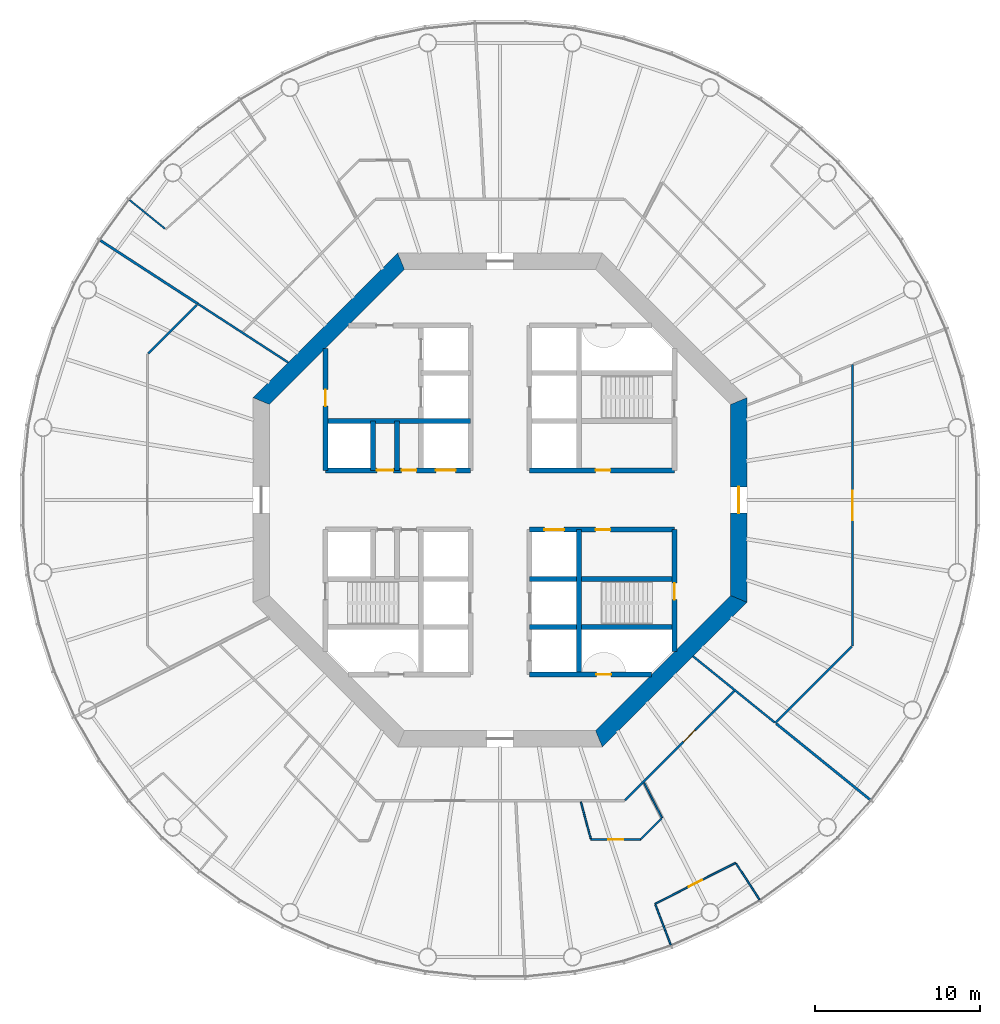
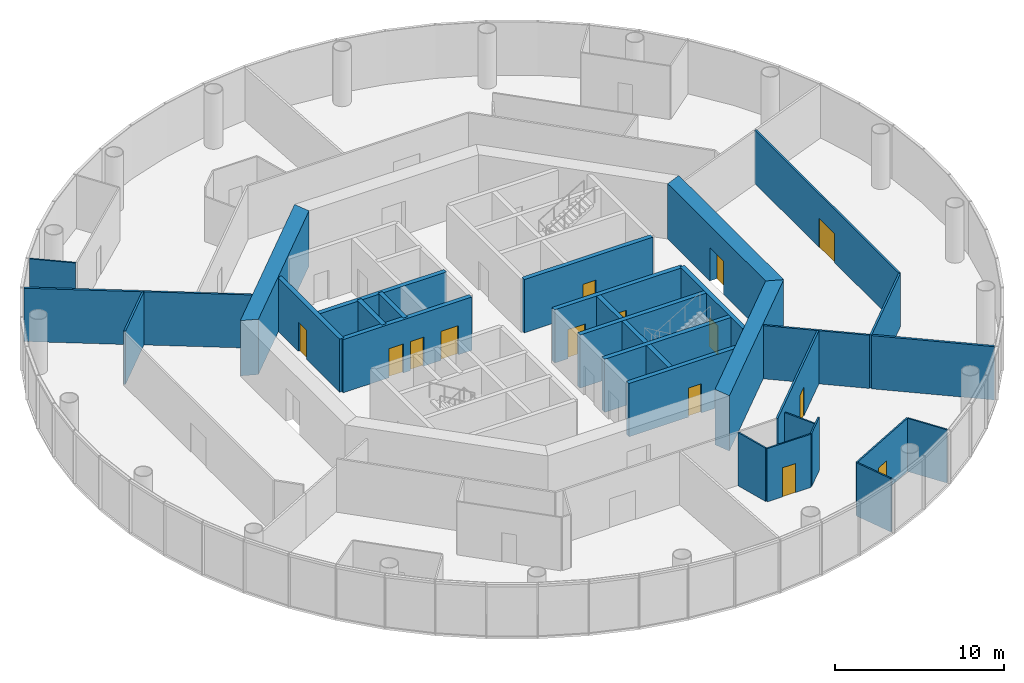
# One storey, part 4 of 13: 31 walls, 14 doors, 14 openings.
"""IFC4 building model written with IfcOpenShell, lengths in metres."""

from ifc_helpers import new_model, si_unit, direction, frame, frame_2d, origin, place, context, subcontext, project, spatial, polyline, rectangle, outline, extrude, material, layer, layer_set, type_object, element, fill, save


model = new_model("IFC4")

# Units and contexts
model_context = context("Model", 3, precision=1e-05, world=origin(), true_north=direction((0.0, 1.0)))
body_context = subcontext(model_context, "Body", "Model", "MODEL_VIEW")
ifc_project = project(units=[si_unit("LENGTHUNIT", "METRE"), si_unit("AREAUNIT", "SQUARE_METRE"), si_unit("VOLUMEUNIT", "CUBIC_METRE"), si_unit("PLANEANGLEUNIT", "RADIAN"), si_unit("MASSUNIT", "GRAM", prefix="KILO")], contexts=[model_context])

# Site, building, storey
site_placement = place(None, origin())
site = spatial("IfcSite", under=ifc_project, at=site_placement, CompositionType="ELEMENT")
building_placement = place(site_placement, origin())
building = spatial("IfcBuilding", under=site, at=building_placement, Name="Entoto Ring Tower", CompositionType="ELEMENT")
storey_placement = place(building_placement, frame((0.0, 0.0, 184.0)))
storey = spatial("IfcBuildingStorey", under=building, at=storey_placement, Name="L42", CompositionType="ELEMENT", Elevation=184.0)

# Wall, opening, door
ifc_material_1 = material(Name="Concrete C40/50", Category="concrete")
ifc_layer_1 = layer(ifc_material_1, 0.300048828125)
ifc_layer_set_1 = layer_set([ifc_layer_1], Name="Concrete C40/50")
wall_type_1 = type_object("IfcWallType", Name="Core enclosure wall 300 mm reinforced concrete", PredefinedType="SOLIDWALL", material=ifc_layer_set_1)
wall_1_placement = place(storey_placement, frame((100.60009765625, 70.801025390625, 0.0), z_axis=(0.0, 0.0, 1.0), x_axis=(0.0, 1.0, 0.0)))
wall_1 = element("IfcWall", 1, at=wall_1_placement, inside=storey, type_object=wall_type_1, Name="wall-L42-001", PredefinedType="SOLIDWALL", context=body_context, shape_type="SweptSolid", body=[
    extrude(rectangle(XDim=7.39892578125, YDim=0.300048828125, at=frame_2d((3.699462890625, 0.0))), origin(), (0.0, 0.0, 1.0), 3.85009765625),
])
opening_1_placement = place(wall_1_placement, frame((3.14892578125, 0.0, 0.0)))
opening_1 = element("IfcOpeningElement", 2, at=opening_1_placement, cuts=wall_1, Name="Opening K-61", PredefinedType="OPENING", context=body_context, shape_type="SweptSolid", body=[
    extrude(rectangle(XDim=1.0, YDim=2.10009765625, at=frame_2d((0.5, 1.050048828125))), frame((0.0, 0.16015625, 0.0), z_axis=(0.0, -1.0, 0.0), x_axis=(1.0, 0.0, 0.0)), (0.0, 0.0, 1.0), 0.320068359375),
])
ifc_material_2 = material(Name="Steel door leaf, fire rated", Category="steel")
ifc_layer_2 = layer(ifc_material_2, 0.050048828125)
ifc_layer_set_2 = layer_set([ifc_layer_2], Name="Steel door leaf, fire rated")
door_type_1 = type_object("IfcDoorType", Name="Fire door FD60 1000 x 2100 single leaf", OperationType="NOTDEFINED", PredefinedType="DOOR", material=ifc_layer_set_2)
door_1_placement = place(opening_1_placement, origin())
door_1 = element("IfcDoor", 3, at=door_1_placement, inside=storey, type_object=door_type_1, Name="Door K-61", OperationType="SINGLE_SWING_RIGHT", OverallHeight=2.10009765625, OverallWidth=1.0, PredefinedType="DOOR", context=body_context, shape_type="SweptSolid", body=[
    extrude(rectangle(XDim=1.0, YDim=2.10009765625, at=frame_2d((0.5, 1.050048828125))), frame((0.0, 0.02490234375, 0.0), z_axis=(0.0, -1.0, 0.0), x_axis=(1.0, 0.0, 0.0)), (0.0, 0.0, 1.0), 0.050048828125),
])
fill(opening_1, door_1)

# Walls
wall_2_placement = place(storey_placement, frame((94.800048828125, 69.39990234375, 0.0), z_axis=(0.0, 0.0, 1.0), x_axis=(0.0, 1.0, 0.0)))
element("IfcWall", 4, at=wall_2_placement, inside=storey, type_object=wall_type_1, Name="wall-L42-003", PredefinedType="SOLIDWALL", context=body_context, shape_type="SweptSolid", body=[
    extrude(rectangle(XDim=8.800048828125, YDim=0.300048828125, at=frame_2d((4.39990234375, 0.0))), origin(), (0.0, 0.0, 1.0), 3.85009765625),
])
for number, where, z_axis, x_axis, name in (
    (5, (83.75, 81.800048828125, 0.0), (0.0, 0.0, 1.0), (0.0, 1.0, 0.0), "wall-L42-012"),
    (6, (82.300048828125, 81.800048828125, 0.0), (0.0, 0.0, 1.0), (0.0, 1.0, 0.0), "wall-L42-014"),
):
    element("IfcWall", number, at=place(storey_placement, frame(where, z_axis=z_axis, x_axis=x_axis)), inside=storey, type_object=wall_type_1, Name=name, PredefinedType="SOLIDWALL", context=body_context, shape_type="SweptSolid", body=[
        extrude(rectangle(XDim=3.0, YDim=0.300048828125, at=frame_2d((1.5, 0.0))), origin(), (0.0, 0.0, 1.0), 3.85009765625),
    ])

# Wall, opening, door
wall_3_placement = place(storey_placement, frame((79.39990234375, 81.800048828125, 0.0), z_axis=(0.0, 0.0, 1.0), x_axis=(0.0, 1.0, 0.0)))
wall_3 = element("IfcWall", 7, at=wall_3_placement, inside=storey, type_object=wall_type_1, Name="wall-L42-016", PredefinedType="SOLIDWALL", context=body_context, shape_type="SweptSolid", body=[
    extrude(rectangle(XDim=7.39892578125, YDim=0.300048828125, at=frame_2d((3.699462890625, 0.0))), origin(), (0.0, 0.0, 1.0), 3.85009765625),
])
opening_2_placement = place(wall_3_placement, frame((3.89990234375, 0.0, 0.0)))
opening_2 = element("IfcOpeningElement", 8, at=opening_2_placement, cuts=wall_3, Name="Opening K-23", PredefinedType="OPENING", context=body_context, shape_type="SweptSolid", body=[
    extrude(rectangle(XDim=1.0, YDim=2.10009765625, at=frame_2d((0.5, 1.050048828125))), frame((0.0, 0.16015625, 0.0), z_axis=(0.0, -1.0, 0.0), x_axis=(1.0, 0.0, 0.0)), (0.0, 0.0, 1.0), 0.320068359375),
])
door_2_placement = place(opening_2_placement, frame((1.0, 0.0, 0.0), z_axis=(0.0, 0.0, 1.0), x_axis=(-1.0, 0.0, 0.0)))
door_2 = element("IfcDoor", 9, at=door_2_placement, inside=storey, type_object=door_type_1, Name="Door K-23", OperationType="SINGLE_SWING_RIGHT", OverallHeight=2.10009765625, OverallWidth=1.0, PredefinedType="DOOR", context=body_context, shape_type="SweptSolid", body=[
    extrude(rectangle(XDim=1.0, YDim=2.10009765625, at=frame_2d((0.5, 1.050048828125))), frame((0.0, 0.02490234375, 0.0), z_axis=(0.0, -1.0, 0.0), x_axis=(1.0, 0.0, 0.0)), (0.0, 0.0, 1.0), 0.050048828125),
])
fill(opening_2, door_2)

wall_4_placement = place(storey_placement, frame((91.800048828125, 69.39990234375, 0.0), z_axis=(0.0, 0.0, 1.0), x_axis=(1.0, 0.0, 0.0)))
wall_4 = element("IfcWall", 10, at=wall_4_placement, inside=storey, type_object=wall_type_1, Name="wall-L42-018", PredefinedType="SOLIDWALL", context=body_context, shape_type="SweptSolid", body=[
    extrude(rectangle(XDim=7.39892578125, YDim=0.300048828125, at=frame_2d((3.699462890625, 0.0))), origin(), (0.0, 0.0, 1.0), 3.85009765625),
])
opening_3_placement = place(wall_4_placement, frame((4.050048828125, 0.0, 0.0)))
opening_3 = element("IfcOpeningElement", 11, at=opening_3_placement, cuts=wall_4, Name="Opening K-68", PredefinedType="OPENING", context=body_context, shape_type="SweptSolid", body=[
    extrude(rectangle(XDim=0.89990234375, YDim=2.10009765625, at=frame_2d((0.449951171875, 1.050048828125))), frame((0.0, 0.16015625, 0.0), z_axis=(0.0, -1.0, 0.0), x_axis=(1.0, 0.0, 0.0)), (0.0, 0.0, 1.0), 0.320068359375),
])
ifc_material_3 = material(Name="Steel door leaf, fire rated", Category="steel")
ifc_layer_3 = layer(ifc_material_3, 0.050048828125)
ifc_layer_set_3 = layer_set([ifc_layer_3], Name="Steel door leaf, fire rated")
door_type_2 = type_object("IfcDoorType", Name="Riser door FD60 900 x 2100 single leaf", OperationType="NOTDEFINED", PredefinedType="DOOR", material=ifc_layer_set_3)
door_3_placement = place(opening_3_placement, origin())
door_3 = element("IfcDoor", 12, at=door_3_placement, inside=storey, type_object=door_type_2, Name="Door K-68", OperationType="SINGLE_SWING_LEFT", OverallHeight=2.10009765625, OverallWidth=0.89990234375, PredefinedType="DOOR", context=body_context, shape_type="SweptSolid", body=[
    extrude(rectangle(XDim=0.89990234375, YDim=2.10009765625, at=frame_2d((0.449951171875, 1.050048828125))), frame((0.0, 0.02490234375, 0.0), z_axis=(0.0, -1.0, 0.0), x_axis=(1.0, 0.0, 0.0)), (0.0, 0.0, 1.0), 0.050048828125),
])
fill(opening_3, door_3)

# Walls
for number, where, z_axis, x_axis, name in (
    (13, (91.800048828125, 72.300048828125, 0.0), (0.0, 0.0, 1.0), (1.0, 0.0, 0.0), "wall-L42-020"),
    (14, (91.800048828125, 75.199951171875, 0.0), (0.0, 0.0, 1.0), (1.0, 0.0, 0.0), "wall-L42-022"),
):
    element("IfcWall", number, at=place(storey_placement, frame(where, z_axis=z_axis, x_axis=x_axis)), inside=storey, type_object=wall_type_1, Name=name, PredefinedType="SOLIDWALL", context=body_context, shape_type="SweptSolid", body=[
        extrude(rectangle(XDim=8.800048828125, YDim=0.300048828125, at=frame_2d((4.39990234375, 0.0))), origin(), (0.0, 0.0, 1.0), 3.85009765625),
    ])

# Wall, openings, doors
wall_5_placement = place(storey_placement, frame((91.800048828125, 78.199951171875, 0.0), z_axis=(0.0, 0.0, 1.0), x_axis=(1.0, 0.0, 0.0)))
wall_5 = element("IfcWall", 15, at=wall_5_placement, inside=storey, type_object=wall_type_1, Name="wall-L42-024", PredefinedType="SOLIDWALL", context=body_context, shape_type="SweptSolid", body=[
    extrude(rectangle(XDim=8.800048828125, YDim=0.300048828125, at=frame_2d((4.39990234375, 0.0))), origin(), (0.0, 0.0, 1.0), 3.85009765625),
])
opening_4_placement = place(wall_5_placement, frame((0.89990234375, 0.0, 0.0)))
opening_4 = element("IfcOpeningElement", 16, at=opening_4_placement, cuts=wall_5, Name="Opening LD", PredefinedType="OPENING", context=body_context, shape_type="SweptSolid", body=[
    extrude(rectangle(XDim=1.199951171875, YDim=2.10009765625, at=frame_2d((0.60009765625, 1.050048828125))), frame((0.0, 0.16015625, 0.0), z_axis=(0.0, -1.0, 0.0), x_axis=(1.0, 0.0, 0.0)), (0.0, 0.0, 1.0), 0.320068359375),
])
opening_5_placement = place(wall_5_placement, frame((4.0, 0.0, 0.0)))
opening_5 = element("IfcOpeningElement", 17, at=opening_5_placement, cuts=wall_5, Name="Opening K-12", PredefinedType="OPENING", context=body_context, shape_type="SweptSolid", body=[
    extrude(rectangle(XDim=0.89990234375, YDim=2.10009765625, at=frame_2d((0.449951171875, 1.050048828125))), frame((0.0, 0.16015625, 0.0), z_axis=(0.0, -1.0, 0.0), x_axis=(1.0, 0.0, 0.0)), (0.0, 0.0, 1.0), 0.320068359375),
])
ifc_material_4 = material(Name="Steel door leaf, fire rated", Category="steel")
ifc_layer_4 = layer(ifc_material_4, 0.050048828125)
ifc_layer_set_4 = layer_set([ifc_layer_4], Name="Steel door leaf, fire rated")
door_type_3 = type_object("IfcDoorType", Name="Core door 900 x 2100 single leaf", OperationType="NOTDEFINED", PredefinedType="DOOR", material=ifc_layer_set_4)
door_4_placement = place(opening_5_placement, frame((0.89990234375, 0.0, 0.0), z_axis=(0.0, 0.0, 1.0), x_axis=(-1.0, 0.0, 0.0)))
door_4 = element("IfcDoor", 18, at=door_4_placement, inside=storey, type_object=door_type_3, Name="Door K-12", OperationType="SINGLE_SWING_RIGHT", OverallHeight=2.10009765625, OverallWidth=0.89990234375, PredefinedType="DOOR", context=body_context, shape_type="SweptSolid", body=[
    extrude(rectangle(XDim=0.89990234375, YDim=2.10009765625, at=frame_2d((0.449951171875, 1.050048828125))), frame((0.0, 0.02490234375, 0.0), z_axis=(0.0, -1.0, 0.0), x_axis=(1.0, 0.0, 0.0)), (0.0, 0.0, 1.0), 0.050048828125),
])
fill(opening_5, door_4)
ifc_material_5 = material(Name="Steel and glass door leaf", Category="steel")
ifc_layer_5 = layer(ifc_material_5, 0.050048828125)
ifc_layer_set_5 = layer_set([ifc_layer_5], Name="Steel and glass door leaf")
door_type_4 = type_object("IfcDoorType", Name="Landing door 1200 x 2100 sliding", OperationType="DOUBLE_DOOR_SLIDING", PredefinedType="DOOR", material=ifc_layer_set_5)
door_5_placement = place(opening_4_placement, origin())
door_5 = element("IfcDoor", 19, at=door_5_placement, inside=storey, type_object=door_type_4, Name="Landing door LB6-MR", OperationType="SLIDING_TO_LEFT", OverallHeight=2.10009765625, OverallWidth=1.199951171875, PredefinedType="DOOR", context=body_context, shape_type="SweptSolid", body=[
    extrude(rectangle(XDim=1.199951171875, YDim=2.10009765625, at=frame_2d((0.60009765625, 1.050048828125))), frame((0.0, 0.02490234375, 0.0), z_axis=(0.0, -1.0, 0.0), x_axis=(1.0, 0.0, 0.0)), (0.0, 0.0, 1.0), 0.050048828125),
])
fill(opening_4, door_5)

wall_6_placement = place(storey_placement, frame((79.39990234375, 81.800048828125, 0.0), z_axis=(0.0, 0.0, 1.0), x_axis=(1.0, 0.0, 0.0)))
wall_6 = element("IfcWall", 20, at=wall_6_placement, inside=storey, type_object=wall_type_1, Name="wall-L42-025", PredefinedType="SOLIDWALL", context=body_context, shape_type="SweptSolid", body=[
    extrude(rectangle(XDim=8.800048828125, YDim=0.300048828125, at=frame_2d((4.39990234375, 0.0))), origin(), (0.0, 0.0, 1.0), 3.85009765625),
])
opening_6_placement = place(wall_6_placement, frame((6.699951171875, 0.0, 0.0)))
opening_6 = element("IfcOpeningElement", 21, at=opening_6_placement, cuts=wall_6, Name="Opening LD", PredefinedType="OPENING", context=body_context, shape_type="SweptSolid", body=[
    extrude(rectangle(XDim=1.199951171875, YDim=2.10009765625, at=frame_2d((0.60009765625, 1.050048828125))), frame((0.0, 0.16015625, 0.0), z_axis=(0.0, -1.0, 0.0), x_axis=(1.0, 0.0, 0.0)), (0.0, 0.0, 1.0), 0.320068359375),
])
opening_7_placement = place(wall_6_placement, frame((3.125, 0.0, 0.0)))
opening_7 = element("IfcOpeningElement", 22, at=opening_7_placement, cuts=wall_6, Name="Opening K-13", PredefinedType="OPENING", context=body_context, shape_type="SweptSolid", body=[
    extrude(rectangle(XDim=1.0, YDim=2.10009765625, at=frame_2d((0.5, 1.050048828125))), frame((0.0, 0.16015625, 0.0), z_axis=(0.0, -1.0, 0.0), x_axis=(1.0, 0.0, 0.0)), (0.0, 0.0, 1.0), 0.320068359375),
])
opening_8_placement = place(wall_6_placement, frame((4.625, 0.0, 0.0)))
opening_8 = element("IfcOpeningElement", 23, at=opening_8_placement, cuts=wall_6, Name="Opening K-14", PredefinedType="OPENING", context=body_context, shape_type="SweptSolid", body=[
    extrude(rectangle(XDim=0.89990234375, YDim=2.10009765625, at=frame_2d((0.449951171875, 1.050048828125))), frame((0.0, 0.16015625, 0.0), z_axis=(0.0, -1.0, 0.0), x_axis=(1.0, 0.0, 0.0)), (0.0, 0.0, 1.0), 0.320068359375),
])
ifc_material_6 = material(Name="Steel door leaf, fire rated", Category="steel")
ifc_layer_6 = layer(ifc_material_6, 0.050048828125)
ifc_layer_set_6 = layer_set([ifc_layer_6], Name="Steel door leaf, fire rated")
door_type_5 = type_object("IfcDoorType", Name="Accessible door 1000 x 2100 single leaf", OperationType="NOTDEFINED", PredefinedType="DOOR", material=ifc_layer_set_6)
door_6_placement = place(opening_7_placement, origin())
door_6 = element("IfcDoor", 24, at=door_6_placement, inside=storey, type_object=door_type_5, Name="Door K-13", OperationType="SINGLE_SWING_RIGHT", OverallHeight=2.10009765625, OverallWidth=1.0, PredefinedType="DOOR", context=body_context, shape_type="SweptSolid", body=[
    extrude(rectangle(XDim=1.0, YDim=2.10009765625, at=frame_2d((0.5, 1.050048828125))), frame((0.0, 0.02490234375, 0.0), z_axis=(0.0, -1.0, 0.0), x_axis=(1.0, 0.0, 0.0)), (0.0, 0.0, 1.0), 0.050048828125),
])
fill(opening_7, door_6)
door_7_placement = place(opening_8_placement, origin())
door_7 = element("IfcDoor", 25, at=door_7_placement, inside=storey, type_object=door_type_3, Name="Door K-14", OperationType="SINGLE_SWING_RIGHT", OverallHeight=2.10009765625, OverallWidth=0.89990234375, PredefinedType="DOOR", context=body_context, shape_type="SweptSolid", body=[
    extrude(rectangle(XDim=0.89990234375, YDim=2.10009765625, at=frame_2d((0.449951171875, 1.050048828125))), frame((0.0, 0.02490234375, 0.0), z_axis=(0.0, -1.0, 0.0), x_axis=(1.0, 0.0, 0.0)), (0.0, 0.0, 1.0), 0.050048828125),
])
fill(opening_8, door_7)
door_8_placement = place(opening_6_placement, origin())
door_8 = element("IfcDoor", 26, at=door_8_placement, inside=storey, type_object=door_type_4, Name="Landing door LB5-MR", OperationType="SLIDING_TO_LEFT", OverallHeight=2.10009765625, OverallWidth=1.199951171875, PredefinedType="DOOR", context=body_context, shape_type="SweptSolid", body=[
    extrude(rectangle(XDim=1.199951171875, YDim=2.10009765625, at=frame_2d((0.60009765625, 1.050048828125))), frame((0.0, 0.02490234375, 0.0), z_axis=(0.0, -1.0, 0.0), x_axis=(1.0, 0.0, 0.0)), (0.0, 0.0, 1.0), 0.050048828125),
])
fill(opening_6, door_8)

# Wall, opening, door
wall_7_placement = place(storey_placement, frame((91.800048828125, 81.800048828125, 0.0), z_axis=(0.0, 0.0, 1.0), x_axis=(1.0, 0.0, 0.0)))
wall_7 = element("IfcWall", 27, at=wall_7_placement, inside=storey, type_object=wall_type_1, Name="wall-L42-026", PredefinedType="SOLIDWALL", context=body_context, shape_type="SweptSolid", body=[
    extrude(rectangle(XDim=8.800048828125, YDim=0.300048828125, at=frame_2d((4.39990234375, 0.0))), origin(), (0.0, 0.0, 1.0), 3.85009765625),
])
opening_9_placement = place(wall_7_placement, frame((4.0, 0.0, 0.0)))
opening_9 = element("IfcOpeningElement", 28, at=opening_9_placement, cuts=wall_7, Name="Opening K-11", PredefinedType="OPENING", context=body_context, shape_type="SweptSolid", body=[
    extrude(rectangle(XDim=0.89990234375, YDim=2.10009765625, at=frame_2d((0.449951171875, 1.050048828125))), frame((0.0, 0.16015625, 0.0), z_axis=(0.0, -1.0, 0.0), x_axis=(1.0, 0.0, 0.0)), (0.0, 0.0, 1.0), 0.320068359375),
])
door_9_placement = place(opening_9_placement, origin())
door_9 = element("IfcDoor", 29, at=door_9_placement, inside=storey, type_object=door_type_3, Name="Door K-11", OperationType="SINGLE_SWING_LEFT", OverallHeight=2.10009765625, OverallWidth=0.89990234375, PredefinedType="DOOR", context=body_context, shape_type="SweptSolid", body=[
    extrude(rectangle(XDim=0.89990234375, YDim=2.10009765625, at=frame_2d((0.449951171875, 1.050048828125))), frame((0.0, 0.02490234375, 0.0), z_axis=(0.0, -1.0, 0.0), x_axis=(1.0, 0.0, 0.0)), (0.0, 0.0, 1.0), 0.050048828125),
])
fill(opening_9, door_9)

# Wall
wall_8_placement = place(storey_placement, frame((79.39990234375, 84.800048828125, 0.0), z_axis=(0.0, 0.0, 1.0), x_axis=(1.0, 0.0, 0.0)))
element("IfcWall", 30, at=wall_8_placement, inside=storey, type_object=wall_type_1, Name="wall-L42-027", PredefinedType="SOLIDWALL", context=body_context, shape_type="SweptSolid", body=[
    extrude(rectangle(XDim=8.800048828125, YDim=0.300048828125, at=frame_2d((4.39990234375, 0.0))), origin(), (0.0, 0.0, 1.0), 3.85009765625),
])

# Wall, opening, door
ifc_material_7 = material(Name="Concrete C50/60", Category="concrete")
ifc_layer_7 = layer(ifc_material_7, 1.0)
ifc_layer_set_7 = layer_set([ifc_layer_7], Name="Concrete C50/60")
wall_type_2 = type_object("IfcWallType", Name="Core shear wall 1000 mm reinforced concrete C50/60", PredefinedType="SHEAR", material=ifc_layer_set_7)
wall_9_placement = place(storey_placement, frame((104.5, 73.993896484375, 0.0), z_axis=(0.0, 0.0, 1.0), x_axis=(0.0, 1.0, 0.0)))
wall_9 = element("IfcWall", 31, at=wall_9_placement, inside=storey, type_object=wall_type_2, Name="wall-L42-core-0", PredefinedType="SHEAR", context=body_context, shape_type="SweptSolid", body=[
    extrude(outline(polyline([(-0.20703125, -0.5), (12.21923828125, -0.5), (11.80517578125, 0.5), (0.20703125, 0.5), (-0.20703125, -0.5)])), origin(), (0.0, 0.0, 1.0), 4.0),
])
opening_10_placement = place(wall_9_placement, frame((5.2060546875, 0.0, 0.0)))
opening_10 = element("IfcOpeningElement", 32, at=opening_10_placement, cuts=wall_9, Name="Opening K-01", PredefinedType="OPENING", context=body_context, shape_type="SweptSolid", body=[
    extrude(rectangle(XDim=1.60009765625, YDim=2.39990234375, at=frame_2d((0.800048828125, 1.199951171875))), frame((0.0, 0.510009765625, 0.0), z_axis=(0.0, -1.0, 0.0), x_axis=(1.0, 0.0, 0.0)), (0.0, 0.0, 1.0), 1.02001953125),
])
ifc_material_8 = material(Name="Steel door leaf, fire rated", Category="steel")
ifc_layer_8 = layer(ifc_material_8, 0.050048828125)
ifc_layer_set_8 = layer_set([ifc_layer_8], Name="Steel door leaf, fire rated")
door_type_6 = type_object("IfcDoorType", Name="Entrance door FD60 1600 x 2400 double leaf", OperationType="DOUBLE_DOOR_SINGLE_SWING", PredefinedType="DOOR", material=ifc_layer_set_8)
door_10_placement = place(opening_10_placement, origin())
door_10 = element("IfcDoor", 33, at=door_10_placement, inside=storey, type_object=door_type_6, Name="Entrance door K-01", OperationType="DOUBLE_DOOR_SINGLE_SWING", OverallHeight=2.39990234375, OverallWidth=1.60009765625, PredefinedType="DOOR", context=body_context, shape_type="SweptSolid", body=[
    extrude(rectangle(XDim=1.60009765625, YDim=2.39990234375, at=frame_2d((0.800048828125, 1.199951171875))), frame((0.0, 0.02490234375, 0.0), z_axis=(0.0, -1.0, 0.0), x_axis=(1.0, 0.0, 0.0)), (0.0, 0.0, 1.0), 0.050048828125),
])
fill(opening_10, door_10)

# Walls
for number, where, z_axis, x_axis, name in (
    (34, (83.993896484375, 94.5, 0.0), (0.0, 0.0, 1.0), (-0.707106781187, -0.707106781187, 0.0), "wall-L42-core-3"),
    (35, (96.006103515625, 65.5, 0.0), (0.0, 0.0, 1.0), (0.707106781187, 0.707106781187, 0.0), "wall-L42-core-7"),
):
    element("IfcWall", number, at=place(storey_placement, frame(where, z_axis=z_axis, x_axis=x_axis)), inside=storey, type_object=wall_type_2, Name=name, PredefinedType="SHEAR", context=body_context, shape_type="SweptSolid", body=[
        extrude(outline(polyline([(-0.20703125, -0.5), (12.21923828125, -0.5), (11.80517578125, 0.5), (0.20703125, 0.5), (-0.20703125, -0.5)])), origin(), (0.0, 0.0, 1.0), 4.0),
    ])

# Wall, opening, door
ifc_material_9 = material(Name="Fire-resisting plasterboard on steel studs", Category="steel")
ifc_layer_9 = layer(ifc_material_9, 0.125)
ifc_layer_set_9 = layer_set([ifc_layer_9], Name="Fire-resisting plasterboard on steel studs")
wall_type_3 = type_object("IfcWallType", Name="Corridor wall 125 mm one-hour plasterboard on steel studs", PredefinedType="PARTITIONING", material=ifc_layer_set_9)
wall_10_placement = place(storey_placement, frame((111.39990234375, 71.1357421875, 0.0), z_axis=(0.0, 0.0, 1.0), x_axis=(0.0, 1.0, 0.0)))
wall_10 = element("IfcWall", 36, at=wall_10_placement, inside=storey, type_object=wall_type_3, Name="partition-L42-002", PredefinedType="PARTITIONING", context=body_context, shape_type="SweptSolid", body=[
    extrude(rectangle(XDim=17.078857421875, YDim=0.125, at=frame_2d((8.53955078125, 0.0))), origin(), (0.0, 0.0, 1.0), 3.85009765625),
])
opening_11_placement = place(wall_10_placement, frame((7.639404296875, 0.0, 0.0)))
opening_11 = element("IfcOpeningElement", 37, at=opening_11_placement, cuts=wall_10, Name="Opening A18-D01", PredefinedType="OPENING", context=body_context, shape_type="SweptSolid", body=[
    extrude(rectangle(XDim=1.800048828125, YDim=2.10009765625, at=frame_2d((0.89990234375, 1.050048828125))), frame((0.0, 0.072509765625, 0.0), z_axis=(0.0, -1.0, 0.0), x_axis=(1.0, 0.0, 0.0)), (0.0, 0.0, 1.0), 0.14501953125),
])
ifc_material_10 = material(Name="Fire-resisting timber door set", Category="wood")
door_type_7 = type_object("IfcDoorType", Name="Door 1800 x 2100 double leaf FD30S fire door", OperationType="DOUBLE_DOOR_SINGLE_SWING", PredefinedType="DOOR", material=ifc_material_10)
door_11_placement = place(opening_11_placement, frame((1.800048828125, 0.0, 0.0), z_axis=(0.0, 0.0, 1.0), x_axis=(-1.0, 0.0, 0.0)))
door_11 = element("IfcDoor", 38, at=door_11_placement, inside=storey, type_object=door_type_7, Name="Door A18-D01", OperationType="DOUBLE_DOOR_SINGLE_SWING", OverallHeight=2.10009765625, OverallWidth=1.800048828125, PredefinedType="DOOR", context=body_context, shape_type="SweptSolid", body=[
    extrude(rectangle(XDim=1.800048828125, YDim=2.10009765625, at=frame_2d((0.89990234375, 1.050048828125))), frame((0.0, 0.02490234375, 0.0), z_axis=(0.0, -1.0, 0.0), x_axis=(1.0, 0.0, 0.0)), (0.0, 0.0, 1.0), 0.050048828125),
])
fill(opening_11, door_11)

wall_11_placement = place(storey_placement, frame((97.595703125, 61.7685546875, 0.0), z_axis=(0.0, 0.0, 1.0), x_axis=(0.707093754284, 0.707119807849, 0.0)))
wall_11 = element("IfcWall", 39, at=wall_11_placement, inside=storey, type_object=wall_type_3, Name="partition-L42-008", PredefinedType="PARTITIONING", context=body_context, shape_type="SweptSolid", body=[
    extrude(rectangle(XDim=9.37060546875, YDim=0.125, at=frame_2d((4.685302734375, 0.0))), origin(), (0.0, 0.0, 1.0), 3.85009765625),
])
opening_12_placement = place(wall_11_placement, frame((5.013427734375, 0.0, 0.0)))
opening_12 = element("IfcOpeningElement", 40, at=opening_12_placement, cuts=wall_11, Name="Opening A18-D12", PredefinedType="OPENING", context=body_context, shape_type="SweptSolid", body=[
    extrude(rectangle(XDim=1.0, YDim=2.10009765625, at=frame_2d((0.5, 1.050048828125))), frame((0.0, 0.072509765625, 0.0), z_axis=(0.0, -1.0, 0.0), x_axis=(1.0, 0.0, 0.0)), (0.0, 0.0, 1.0), 0.14501953125),
])
ifc_material_11 = material(Name="Fire-resisting timber door set", Category="wood")
door_type_8 = type_object("IfcDoorType", Name="Door 1000 x 2100 single leaf FD30S fire door", OperationType="NOTDEFINED", PredefinedType="DOOR", material=ifc_material_11)
door_12_placement = place(opening_12_placement, frame((1.0, 0.0, 0.0), z_axis=(0.0, 0.0, 1.0), x_axis=(-1.0, 0.0, 0.0)))
door_12 = element("IfcDoor", 41, at=door_12_placement, inside=storey, type_object=door_type_8, Name="Door A18-D12", OperationType="SINGLE_SWING_LEFT", OverallHeight=2.10009765625, OverallWidth=1.0, PredefinedType="DOOR", context=body_context, shape_type="SweptSolid", body=[
    extrude(rectangle(XDim=1.0, YDim=2.10009765625, at=frame_2d((0.5, 1.050048828125))), frame((0.0, 0.02490234375, 0.0), z_axis=(0.0, -1.0, 0.0), x_axis=(1.0, 0.0, 0.0)), (0.0, 0.0, 1.0), 0.050048828125),
])
fill(opening_12, door_12)

# Walls
wall_12_placement = place(storey_placement, frame((106.722412109375, 66.45849609375, 0.0), z_axis=(0.0, 0.0, 1.0), x_axis=(0.707125358217, 0.707088203668, 0.0)))
element("IfcWall", 42, at=wall_12_placement, inside=storey, type_object=wall_type_3, Name="partition-L42-011", PredefinedType="PARTITIONING", context=body_context, shape_type="SweptSolid", body=[
    extrude(rectangle(XDim=6.571044921875, YDim=0.125, at=frame_2d((3.28564453125, 0.0))), origin(), (0.0, 0.0, 1.0), 3.85009765625),
])
wall_13_placement = place(storey_placement, frame((77.138916015625, 88.35205078125, 0.0), z_axis=(0.0, 0.0, 1.0), x_axis=(-0.838654973698, 0.544663047298, 0.0)))
element("IfcWall", 43, at=wall_13_placement, inside=storey, type_object=wall_type_3, Name="partition-L42-012", PredefinedType="PARTITIONING", context=body_context, shape_type="SweptSolid", body=[
    extrude(rectangle(XDim=6.54296875, YDim=0.125, at=frame_2d((3.271484375, 0.0))), origin(), (0.0, 0.0, 1.0), 3.85009765625),
])
wall_14_placement = place(storey_placement, frame((106.67431640625, 66.49755859375, 0.0), z_axis=(0.0, 0.0, 1.0), x_axis=(-0.777147622925, 0.629318339302, 0.0)))
element("IfcWall", 44, at=wall_14_placement, inside=storey, type_object=wall_type_3, Name="partition-L42-013", PredefinedType="PARTITIONING", context=body_context, shape_type="SweptSolid", body=[
    extrude(rectangle(XDim=6.373046875, YDim=0.125, at=frame_2d((3.1865234375, 0.0))), origin(), (0.0, 0.0, 1.0), 3.85009765625),
])
wall_15_placement = place(storey_placement, frame((68.631103515625, 88.895263671875, 0.0), z_axis=(0.0, 0.0, 1.0), x_axis=(0.707106781187, 0.707106781187, 0.0)))
element("IfcWall", 45, at=wall_15_placement, inside=storey, type_object=wall_type_3, Name="partition-L42-014", PredefinedType="PARTITIONING", context=body_context, shape_type="SweptSolid", body=[
    extrude(rectangle(XDim=4.181640625, YDim=0.125, at=frame_2d((2.0908203125, 0.0))), origin(), (0.0, 0.0, 1.0), 3.85009765625),
])

# Wall, opening, door
ifc_material_12 = material(Name="Plasterboard on steel studs", Category="steel")
ifc_layer_10 = layer(ifc_material_12, 0.10009765625)
ifc_layer_set_10 = layer_set([ifc_layer_10], Name="Plasterboard on steel studs")
wall_type_4 = type_object("IfcWallType", Name="Partition 100 mm plasterboard on steel studs", PredefinedType="PARTITIONING", material=ifc_layer_set_10)
wall_16_placement = place(storey_placement, frame((99.414306640625, 55.474853515625, 0.0), z_axis=(0.0, 0.0, 1.0), x_axis=(0.891014051246, 0.453975726754, 0.0)))
wall_16 = element("IfcWall", 46, at=wall_16_placement, inside=storey, type_object=wall_type_4, Name="partition-L42-027", PredefinedType="PARTITIONING", context=body_context, shape_type="SweptSolid", body=[
    extrude(rectangle(XDim=5.491943359375, YDim=0.10009765625, at=frame_2d((2.74609375, 0.0))), origin(), (0.0, 0.0, 1.0), 3.85009765625),
])
opening_13_placement = place(wall_16_placement, frame((2.2958984375, 0.0, 0.0)))
opening_13 = element("IfcOpeningElement", 47, at=opening_13_placement, cuts=wall_16, Name="Opening A18-D14", PredefinedType="OPENING", context=body_context, shape_type="SweptSolid", body=[
    extrude(rectangle(XDim=0.89990234375, YDim=2.10009765625, at=frame_2d((0.449951171875, 1.050048828125))), frame((0.0, 0.06005859375, 0.0), z_axis=(0.0, -1.0, 0.0), x_axis=(1.0, 0.0, 0.0)), (0.0, 0.0, 1.0), 0.1201171875),
])
ifc_material_13 = material(Name="Veneered timber door leaf in timber frame", Category="wood")
door_type_9 = type_object("IfcDoorType", Name="Door 900 x 2100 single leaf timber veneer", OperationType="NOTDEFINED", PredefinedType="DOOR", material=ifc_material_13)
door_13_placement = place(opening_13_placement, frame((0.89990234375, 0.0, 0.0), z_axis=(0.0, 0.0, 1.0), x_axis=(-1.0, 0.0, 0.0)))
door_13 = element("IfcDoor", 48, at=door_13_placement, inside=storey, type_object=door_type_9, Name="Door A18-D14", OperationType="SINGLE_SWING_LEFT", OverallHeight=2.10009765625, OverallWidth=0.89990234375, PredefinedType="DOOR", context=body_context, shape_type="SweptSolid", body=[
    extrude(rectangle(XDim=0.89990234375, YDim=2.10009765625, at=frame_2d((0.449951171875, 1.050048828125))), frame((0.0, 0.02490234375, 0.0), z_axis=(0.0, -1.0, 0.0), x_axis=(1.0, 0.0, 0.0)), (0.0, 0.0, 1.0), 0.050048828125),
])
fill(opening_13, door_13)

wall_17_placement = place(storey_placement, frame((95.523193359375, 59.387451171875, 0.0), z_axis=(0.0, 0.0, 1.0), x_axis=(1.0, 0.0, 0.0)))
wall_17 = element("IfcWall", 49, at=wall_17_placement, inside=storey, type_object=wall_type_4, Name="partition-L42-030", PredefinedType="PARTITIONING", context=body_context, shape_type="SweptSolid", body=[
    extrude(rectangle(XDim=3.014892578125, YDim=0.10009765625, at=frame_2d((1.50732421875, 0.0))), origin(), (0.0, 0.0, 1.0), 3.85009765625),
])
opening_14_placement = place(wall_17_placement, frame((1.057373046875, 0.0, 0.0)))
opening_14 = element("IfcOpeningElement", 50, at=opening_14_placement, cuts=wall_17, Name="Opening A18-D13", PredefinedType="OPENING", context=body_context, shape_type="SweptSolid", body=[
    extrude(rectangle(XDim=0.89990234375, YDim=2.10009765625, at=frame_2d((0.449951171875, 1.050048828125))), frame((0.0, 0.06005859375, 0.0), z_axis=(0.0, -1.0, 0.0), x_axis=(1.0, 0.0, 0.0)), (0.0, 0.0, 1.0), 0.1201171875),
])
door_14_placement = place(opening_14_placement, origin())
door_14 = element("IfcDoor", 51, at=door_14_placement, inside=storey, type_object=door_type_9, Name="Door A18-D13", OperationType="SINGLE_SWING_LEFT", OverallHeight=2.10009765625, OverallWidth=0.89990234375, PredefinedType="DOOR", context=body_context, shape_type="SweptSolid", body=[
    extrude(rectangle(XDim=0.89990234375, YDim=2.10009765625, at=frame_2d((0.449951171875, 1.050048828125))), frame((0.0, 0.02490234375, 0.0), z_axis=(0.0, -1.0, 0.0), x_axis=(1.0, 0.0, 0.0)), (0.0, 0.0, 1.0), 0.050048828125),
])
fill(opening_14, door_14)

# Walls
wall_18_placement = place(storey_placement, frame((69.66259765625, 96.468994140625, 0.0), z_axis=(0.0, 0.0, 1.0), x_axis=(-0.777166880901, 0.62929455681, 0.0)))
element("IfcWall", 52, at=wall_18_placement, inside=storey, type_object=wall_type_4, Name="partition-L42-032", PredefinedType="PARTITIONING", context=body_context, shape_type="SweptSolid", body=[
    extrude(rectangle(XDim=2.7705078125, YDim=0.10009765625, at=frame_2d((1.38525390625, 0.0))), origin(), (0.0, 0.0, 1.0), 3.85009765625),
])
for number, where, z_axis, x_axis, name in (
    (53, (100.37109375, 52.982177734375, 0.0), (0.0, 0.0, 1.0), (-0.358342155625, 0.933590327447, 0.0), "partition-L42-035"),
    (54, (105.761962890625, 55.72900390625, 0.0), (0.0, 0.0, 1.0), (-0.544683745229, 0.838641531099, 0.0), "partition-L42-036"),
):
    element("IfcWall", number, at=place(storey_placement, frame(where, z_axis=z_axis, x_axis=x_axis)), inside=storey, type_object=wall_type_4, Name=name, PredefinedType="PARTITIONING", context=body_context, shape_type="SweptSolid", body=[
        extrude(rectangle(XDim=2.620361328125, YDim=0.10009765625, at=frame_2d((1.31005859375, 0.0))), origin(), (0.0, 0.0, 1.0), 3.85009765625),
    ])
wall_19_placement = place(storey_placement, frame((95.510498046875, 59.43408203125, 0.0), z_axis=(0.0, 0.0, 1.0), x_axis=(-0.258788991174, 0.965933878714, 0.0)))
element("IfcWall", 55, at=wall_19_placement, inside=storey, type_object=wall_type_4, Name="partition-L42-045", PredefinedType="PARTITIONING", context=body_context, shape_type="SweptSolid", body=[
    extrude(rectangle(XDim=2.306640625, YDim=0.10009765625, at=frame_2d((1.1533203125, 0.0))), origin(), (0.0, 0.0, 1.0), 3.85009765625),
])
wall_20_placement = place(storey_placement, frame((98.562744140625, 59.412353515625, 0.0), z_axis=(0.0, 0.0, 1.0), x_axis=(0.707106781187, 0.707106781187, 0.0)))
element("IfcWall", 56, at=wall_20_placement, inside=storey, type_object=wall_type_4, Name="partition-L42-048", PredefinedType="PARTITIONING", context=body_context, shape_type="SweptSolid", body=[
    extrude(rectangle(XDim=1.758056640625, YDim=0.10009765625, at=frame_2d((0.87890625, 0.0))), origin(), (0.0, 0.0, 1.0), 3.85009765625),
])
ifc_material_14 = material(Name="Plasterboard on steel studs", Category="steel")
ifc_layer_11 = layer(ifc_material_14, 0.10009765625)
ifc_layer_set_11 = layer_set([ifc_layer_11], Name="Plasterboard on steel studs")
wall_type_5 = type_object("IfcWallType", Name="Partition 100 mm plasterboard on steel studs, 3250 mm high", PredefinedType="PARTITIONING", material=ifc_layer_set_11)
wall_21_placement = place(storey_placement, frame((99.839599609375, 60.68896484375, 0.0), z_axis=(0.0, 0.0, 1.0), x_axis=(-0.454026812412, 0.890988021026, 0.0)))
element("IfcWall", 57, at=wall_21_placement, inside=storey, type_object=wall_type_5, Name="partition-L42-042", PredefinedType="PARTITIONING", context=body_context, shape_type="SweptSolid", body=[
    extrude(rectangle(XDim=2.38916015625, YDim=0.10009765625, at=frame_2d((1.194580078125, 0.0))), origin(), (0.0, 0.0, 1.0), 3.25),
])
ifc_material_15 = material(Name="Fire-resisting acoustic plasterboard on steel studs", Category="steel")
ifc_layer_12 = layer(ifc_material_15, 0.14990234375)
ifc_layer_set_12 = layer_set([ifc_layer_12], Name="Fire-resisting acoustic plasterboard on steel studs")
wall_type_6 = type_object("IfcWallType", Name="Party wall 150 mm one-hour acoustic plasterboard on steel studs", PredefinedType="PARTITIONING", material=ifc_layer_set_12)
wall_22_placement = place(storey_placement, frame((112.490478515625, 61.78759765625, 0.0), z_axis=(0.0, 0.0, 1.0), x_axis=(-0.777145090465, 0.629321466634, 0.0)))
element("IfcWall", 58, at=wall_22_placement, inside=storey, type_object=wall_type_6, Name="partition-L42-019", PredefinedType="PARTITIONING", context=body_context, shape_type="SweptSolid", body=[
    extrude(rectangle(XDim=7.35107421875, YDim=0.14990234375, at=frame_2d((3.675537109375, 0.0))), origin(), (0.0, 0.0, 1.0), 3.85009765625),
])
wall_23_placement = place(storey_placement, frame((71.651611328125, 91.915771484375, 0.0), z_axis=(0.0, 0.0, 1.0), x_axis=(-0.838670233223, 0.544639550443, 0.0)))
element("IfcWall", 59, at=wall_23_placement, inside=storey, type_object=wall_type_6, Name="partition-L42-020", PredefinedType="PARTITIONING", context=body_context, shape_type="SweptSolid", body=[
    extrude(rectangle(XDim=7.06201171875, YDim=0.14990234375, at=frame_2d((3.531005859375, 0.0))), origin(), (0.0, 0.0, 1.0), 3.85009765625),
])

save(model, "model.ifc")
